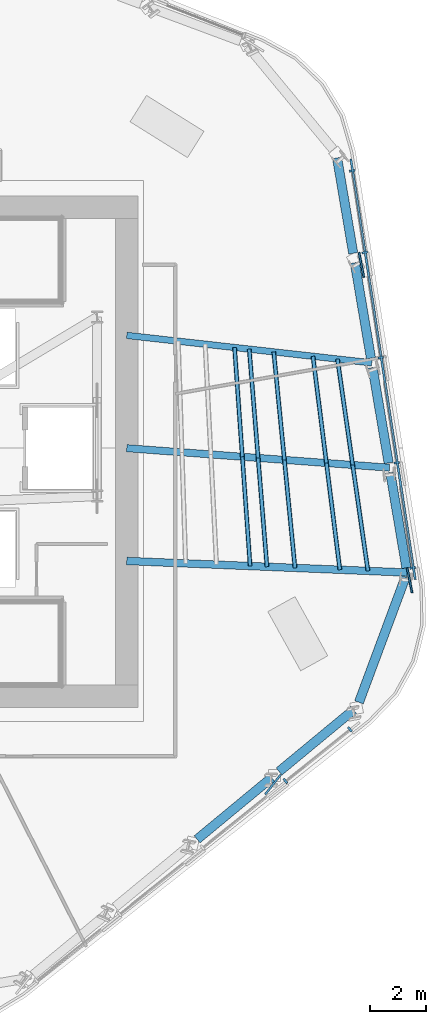
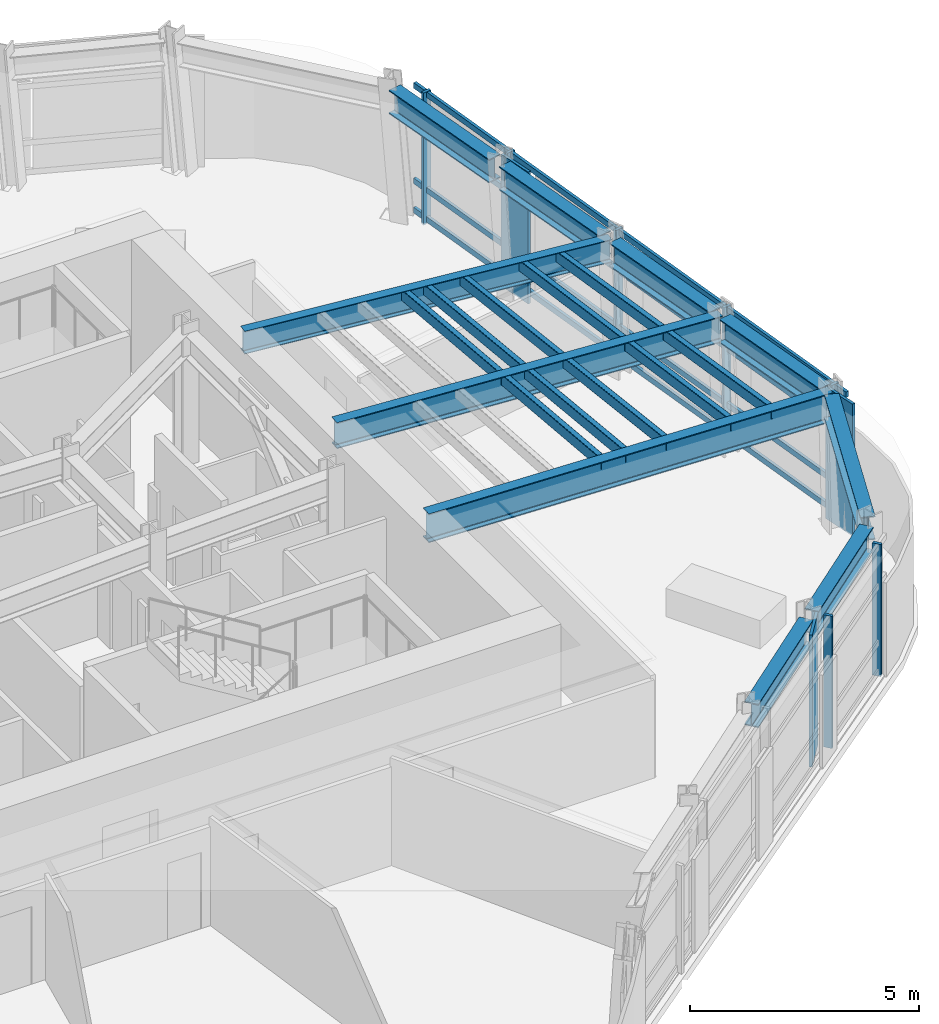
# One storey, part 5 of 15: 24 members, 10 beams, 2 elements without a shape of their own.
"""IFC4 building model written with IfcOpenShell, lengths in metres."""

from ifc_helpers import new_model, si_unit, direction, frame, origin, origin_2d, place, context, subcontext, project, spatial, rectangle, hollow_rectangle, i_section, extrude, material, layer, layer_set, material_profile, profile_set, type_object, element, aggregate, save


model = new_model("IFC4")

# Units and contexts
model_context = context("Model", 3, precision=1e-05, world=origin(), true_north=direction((0.0, 1.0)))
body_context = subcontext(model_context, "Body", "Model", "MODEL_VIEW")
ifc_project = project(units=[si_unit("LENGTHUNIT", "METRE"), si_unit("AREAUNIT", "SQUARE_METRE"), si_unit("VOLUMEUNIT", "CUBIC_METRE"), si_unit("PLANEANGLEUNIT", "RADIAN"), si_unit("MASSUNIT", "GRAM", prefix="KILO")], contexts=[model_context])

# Site, building, storey
site_placement = place(None, origin())
site = spatial("IfcSite", under=ifc_project, at=site_placement, CompositionType="ELEMENT")
building_placement = place(site_placement, origin())
building = spatial("IfcBuilding", under=site, at=building_placement, Name="Valkerne Bourse Tower", CompositionType="ELEMENT")
storey_placement = place(building_placement, frame((0.0, 0.0, 189.39990234375)))
storey = spatial("IfcBuildingStorey", under=building, at=storey_placement, Name="L48", CompositionType="ELEMENT", Elevation=189.39990234375)

# Beams
ifc_material_1 = material(Name="Steel ASTM A992", Category="steel")
ifc_material_profile_1 = material_profile(ifc_material_1, i_section(OverallWidth=0.32763671875, OverallDepth=0.62744140625, WebThickness=0.0166015625, FlangeThickness=0.027587890625, FilletRadius=0.020263671875, at=origin_2d()), Name="W24X146")
ifc_profile_set_1 = profile_set([ifc_material_profile_1], Name="Steel ASTM A992")
beam_type_1 = type_object("IfcBeamType", Name="BM-W24X146", PredefinedType="SPANDREL", material=ifc_profile_set_1)
for number, where, z_axis, x_axis, name in (
    (1, (58.495849609375, 13.12890625, 3.206298828125), (0.770537729655, 0.637394389039, 0.0), (-0.637394389039, 0.770537729655, 0.0), "L48 Hexagonal Spandrel Ring Beam 22"),
    (2, (61.401611328125, 15.532470703125, 3.206298828125), (0.770502780031, 0.637436636823, 0.0), (-0.637436636823, 0.770502780031, 0.0), "L48 Hexagonal Spandrel Ring Beam 23"),
):
    element("IfcBeam", number, at=place(storey_placement, frame(where, z_axis=z_axis, x_axis=x_axis)), inside=storey, type_object=beam_type_1, Name=name, PredefinedType="SPANDREL", context=body_context, shape_type="SweptSolid", body=[
        extrude(i_section(OverallWidth=0.32763671875, OverallDepth=0.62744140625, WebThickness=0.0166015625, FlangeThickness=0.027587890625, FilletRadius=0.020263671875, at=origin_2d()), origin(), (0.0, 0.0, 1.0), 3.430908203125),
    ])
beam_1_placement = place(storey_placement, frame((64.2353515625, 17.9873046875, 3.206298828125), z_axis=(0.348599031818, 0.937271953605, 0.0), x_axis=(-0.937271953605, 0.348599031818, 0.0)))
element("IfcBeam", 3, at=beam_1_placement, inside=storey, type_object=beam_type_1, Name="L48 Hexagonal Spandrel Ring Beam 24", PredefinedType="SPANDREL", context=body_context, shape_type="SweptSolid", body=[
    extrude(i_section(OverallWidth=0.32763671875, OverallDepth=0.62744140625, WebThickness=0.0166015625, FlangeThickness=0.027587890625, FilletRadius=0.020263671875, at=origin_2d()), origin(), (0.0, 0.0, 1.0), 4.739990234375),
])
for number, where, z_axis, x_axis, name in (
    (4, (65.91845703125, 22.7568359375, 3.206298828125), (-0.166717824324, 0.986004648596, 0.0), (-0.986004648596, -0.166717824324, 0.0), "L48 Hexagonal Spandrel Ring Beam 25"),
    (5, (65.289794921875, 26.47509765625, 3.206298828125), (-0.16678700104, 0.985992949409, 0.0), (-0.985992949409, -0.16678700104, 0.0), "L48 Hexagonal Spandrel Ring Beam 26"),
    (6, (64.660888671875, 30.193359375, 3.206298828125), (-0.16678700104, 0.985992949409, 0.0), (-0.985992949409, -0.16678700104, 0.0), "L48 Hexagonal Spandrel Ring Beam 27"),
):
    element("IfcBeam", number, at=place(storey_placement, frame(where, z_axis=z_axis, x_axis=x_axis)), inside=storey, type_object=beam_type_1, Name=name, PredefinedType="SPANDREL", context=body_context, shape_type="SweptSolid", body=[
        extrude(i_section(OverallWidth=0.32763671875, OverallDepth=0.62744140625, WebThickness=0.0166015625, FlangeThickness=0.027587890625, FilletRadius=0.020263671875, at=origin_2d()), origin(), (0.0, 0.0, 1.0), 3.43115234375),
    ])
beam_2_placement = place(storey_placement, frame((64.031982421875, 33.91162109375, 3.206298828125), z_axis=(-0.166798703324, 0.985990969821, 0.0), x_axis=(-0.985990969821, -0.166798703324, 0.0)))
element("IfcBeam", 7, at=beam_2_placement, inside=storey, type_object=beam_type_1, Name="L48 Hexagonal Spandrel Ring Beam 28", PredefinedType="SPANDREL", context=body_context, shape_type="SweptSolid", body=[
    extrude(i_section(OverallWidth=0.32763671875, OverallDepth=0.62744140625, WebThickness=0.0166015625, FlangeThickness=0.027587890625, FilletRadius=0.020263671875, at=origin_2d()), origin(), (0.0, 0.0, 1.0), 3.430908203125),
])
ifc_material_profile_2 = material_profile(ifc_material_1, i_section(OverallWidth=0.228271484375, OverallDepth=0.607177734375, WebThickness=0.01123046875, FlangeThickness=0.017333984375, FilletRadius=0.017822265625, at=origin_2d()), Name="W24X76")
ifc_profile_set_2 = profile_set([ifc_material_profile_2], Name="Steel ASTM A992")
beam_type_2 = type_object("IfcBeamType", Name="BM-W24X76", PredefinedType="JOIST", material=ifc_profile_set_2)
beam_3_placement = place(storey_placement, frame((64.689208984375, 30.025634765625, 3.216552734375), z_axis=(-0.9937715384, 0.111436661228, 0.0), x_axis=(-0.111436661228, -0.9937715384, 0.0)))
element("IfcBeam", 8, at=beam_3_placement, inside=storey, type_object=beam_type_2, Name="L48 Radial Composite Floor Beam 27", PredefinedType="JOIST", context=body_context, shape_type="SweptSolid", body=[
    extrude(i_section(OverallWidth=0.228271484375, OverallDepth=0.607177734375, WebThickness=0.01123046875, FlangeThickness=0.017333984375, FilletRadius=0.017822265625, at=origin_2d()), origin(), (0.0, 0.0, 1.0), 8.74365234375),
])
ifc_material_profile_3 = material_profile(ifc_material_1, i_section(OverallWidth=0.255859375, OverallDepth=0.693359375, WebThickness=0.014404296875, FlangeThickness=0.023681640625, FilletRadius=0.02294921875, at=origin_2d()), Name="W27X114")
ifc_profile_set_3 = profile_set([ifc_material_profile_3], Name="Steel ASTM A992")
beam_type_3 = type_object("IfcBeamType", Name="BM-W27X114", PredefinedType="BEAM", material=ifc_profile_set_3)
beam_4_placement = place(storey_placement, frame((65.318115234375, 26.3076171875, 3.17333984375), z_axis=(-0.997250760593, 0.074100745593, 0.0), x_axis=(-0.074100745593, -0.997250760593, 0.0)))
element("IfcBeam", 9, at=beam_4_placement, inside=storey, type_object=beam_type_3, Name="L48 Radial Composite Floor Beam 26", PredefinedType="BEAM", context=body_context, shape_type="SweptSolid", body=[
    extrude(i_section(OverallWidth=0.255859375, OverallDepth=0.693359375, WebThickness=0.014404296875, FlangeThickness=0.023681640625, FilletRadius=0.02294921875, at=origin_2d()), origin(), (0.0, 0.0, 1.0), 9.34375),
])
ifc_material_profile_4 = material_profile(ifc_material_1, i_section(OverallWidth=0.26806640625, OverallDepth=0.76953125, WebThickness=0.015625, FlangeThickness=0.025390625, FilletRadius=0.025390625, at=origin_2d()), Name="W30X132")
ifc_profile_set_4 = profile_set([ifc_material_profile_4], Name="Steel ASTM A992")
beam_type_4 = type_object("IfcBeamType", Name="BM-W30X132", PredefinedType="BEAM", material=ifc_profile_set_4)
beam_5_placement = place(storey_placement, frame((65.947021484375, 22.58935546875, 3.13525390625), z_axis=(-0.99914893783, 0.041248030666, 0.0), x_axis=(-0.041248030666, -0.99914893783, 0.0)))
element("IfcBeam", 10, at=beam_5_placement, inside=storey, type_object=beam_type_4, Name="L48 Radial Composite Floor Beam 25", PredefinedType="BEAM", context=body_context, shape_type="SweptSolid", body=[
    extrude(i_section(OverallWidth=0.26806640625, OverallDepth=0.76953125, WebThickness=0.015625, FlangeThickness=0.025390625, FilletRadius=0.025390625, at=origin_2d()), origin(), (0.0, 0.0, 1.0), 9.95556640625),
])

# Curtain wall, members
ifc_material_2 = material(Name="Aluminium AA 6063-T6", Category="aluminium")
ifc_layer = layer(ifc_material_2, 0.235107421875)
ifc_layer_set = layer_set([ifc_layer], Name="Aluminium AA 6063-T6")
curtain_wall_type = type_object("IfcCurtainWallType", Name="CW-03", PredefinedType="NOTDEFINED", material=ifc_layer_set)
curtain_wall_1_placement = place(storey_placement, origin())
curtain_wall_1 = element("IfcCurtainWall", 11, at=curtain_wall_1_placement, inside=storey, type_object=curtain_wall_type, Name="L48 Hexagonal Stick Curtain Wall Face 5", PredefinedType="NOTDEFINED")
ifc_material_profile_5 = material_profile(ifc_material_2, rectangle(XDim=0.074951171875, YDim=0.199951171875, at=origin_2d()), Name="CWM-75X200")
ifc_profile_set_5 = profile_set([ifc_material_profile_5], Name="Aluminium AA 6063-T6")
member_type_1 = type_object("IfcMemberType", Name="CW-MUL-220X75", PredefinedType="MULLION", material=ifc_profile_set_5)
member_1_placement = place(storey_placement, frame((61.627197265625, 15.195556640625, 0.0), z_axis=(0.0, 0.0, 1.0), x_axis=(0.780428802886, 0.625244659014, 0.0)))
member_1 = element("IfcMember", 12, at=member_1_placement, type_object=member_type_1, Name="CW-L48-F5 Jamb Mullion 03A", PredefinedType="MULLION", context=body_context, shape_type="SweptSolid", body=[
    extrude(rectangle(XDim=0.074951171875, YDim=0.199951171875, at=origin_2d()), origin(), (0.0, 0.0, 1.0), 3.52001953125),
])
member_2_placement = place(storey_placement, frame((63.914794921875, 17.0283203125, 0.0), z_axis=(0.0, 0.0, 1.0), x_axis=(0.780428802886, 0.625244659014, 0.0)))
member_2 = element("IfcMember", 13, at=member_2_placement, type_object=member_type_1, Name="CW-L48-F5 Jamb Mullion 03B", PredefinedType="MULLION", context=body_context, shape_type="SweptSolid", body=[
    extrude(rectangle(XDim=0.074951171875, YDim=0.199951171875, at=origin_2d()), origin(), (0.0, 0.0, 1.0), 3.52001953125),
])
aggregate(curtain_wall_1, [member_1, member_2])

curtain_wall_2_placement = place(storey_placement, origin())
curtain_wall_2 = element("IfcCurtainWall", 14, at=curtain_wall_2_placement, inside=storey, type_object=curtain_wall_type, Name="L48 Hexagonal Stick Curtain Wall Face 6", PredefinedType="NOTDEFINED")
member_3_placement = place(storey_placement, frame((66.14794921875, 22.755615234375, 0.0), z_axis=(0.0, 0.0, 1.0), x_axis=(-0.151260054686, 0.988494003956, 0.0)))
member_3 = element("IfcMember", 15, at=member_3_placement, type_object=member_type_1, Name="CW-L48-F6 Jamb Mullion 00A", PredefinedType="MULLION", context=body_context, shape_type="SweptSolid", body=[
    extrude(rectangle(XDim=0.074951171875, YDim=0.199951171875, at=origin_2d()), origin(), (0.0, 0.0, 1.0), 3.52001953125),
])
member_4_placement = place(storey_placement, frame((65.577392578125, 26.4833984375, 0.0), z_axis=(0.0, 0.0, 1.0), x_axis=(-0.15125608979, 0.988494610659, 0.0)))
member_4 = element("IfcMember", 16, at=member_4_placement, type_object=member_type_1, Name="CW-L48-F6 Jamb Mullion 01A", PredefinedType="MULLION", context=body_context, shape_type="SweptSolid", body=[
    extrude(rectangle(XDim=0.074951171875, YDim=0.199951171875, at=origin_2d()), origin(), (0.0, 0.0, 1.0), 3.52001953125),
])
member_5_placement = place(storey_placement, frame((65.007080078125, 30.2109375, 0.0), z_axis=(0.0, 0.0, 1.0), x_axis=(-0.151260054686, 0.988494003956, 0.0)))
member_5 = element("IfcMember", 17, at=member_5_placement, type_object=member_type_1, Name="CW-L48-F6 Jamb Mullion 02A", PredefinedType="MULLION", context=body_context, shape_type="SweptSolid", body=[
    extrude(rectangle(XDim=0.074951171875, YDim=0.199951171875, at=origin_2d()), origin(), (0.0, 0.0, 1.0), 3.52001953125),
])
member_6_placement = place(storey_placement, frame((64.436767578125, 33.938720703125, 0.0), z_axis=(0.0, 0.0, 1.0), x_axis=(-0.151260054686, 0.988494003956, 0.0)))
member_6 = element("IfcMember", 18, at=member_6_placement, type_object=member_type_1, Name="CW-L48-F6 Jamb Mullion 03A", PredefinedType="MULLION", context=body_context, shape_type="SweptSolid", body=[
    extrude(rectangle(XDim=0.074951171875, YDim=0.199951171875, at=origin_2d()), origin(), (0.0, 0.0, 1.0), 3.52001953125),
])
member_7_placement = place(storey_placement, frame((63.993408203125, 36.8359375, 0.0), z_axis=(0.0, 0.0, 1.0), x_axis=(-0.151260054686, 0.988494003956, 0.0)))
member_7 = element("IfcMember", 19, at=member_7_placement, type_object=member_type_1, Name="CW-L48-F6 Jamb Mullion 03B", PredefinedType="MULLION", context=body_context, shape_type="SweptSolid", body=[
    extrude(rectangle(XDim=0.074951171875, YDim=0.199951171875, at=origin_2d()), origin(), (0.0, 0.0, 1.0), 3.52001953125),
])
ifc_material_profile_6 = material_profile(ifc_material_2, rectangle(XDim=0.074951171875, YDim=0.14990234375, at=origin_2d()), Name="CWT-75X150")
ifc_profile_set_6 = profile_set([ifc_material_profile_6], Name="Aluminium AA 6063-T6")
member_type_2 = type_object("IfcMemberType", Name="CW-TRN-180X65", PredefinedType="USERDEFINED", material=ifc_profile_set_6)
member_8_placement = place(storey_placement, frame((66.231201171875, 22.343505859375, 0.1201171875), z_axis=(-0.151250773463, 0.98849542413, 0.0), x_axis=(-0.98849542413, -0.151250773463, 0.0)))
member_8 = element("IfcMember", 20, at=member_8_placement, type_object=member_type_2, Name="CW-L48-F6 Continuous Face Transom 1", ObjectType="TRANSOM", PredefinedType="USERDEFINED", context=body_context, shape_type="SweptSolid", body=[
    extrude(rectangle(XDim=0.074951171875, YDim=0.14990234375, at=origin_2d()), origin(), (0.0, 0.0, 1.0), 15.084228515625),
])
member_9_placement = place(storey_placement, frame((66.231201171875, 22.343505859375, 0.900146484375), z_axis=(-0.151250773463, 0.98849542413, 0.0), x_axis=(-0.98849542413, -0.151250773463, 0.0)))
member_9 = element("IfcMember", 21, at=member_9_placement, type_object=member_type_2, Name="CW-L48-F6 Continuous Face Transom 2", ObjectType="TRANSOM", PredefinedType="USERDEFINED", context=body_context, shape_type="SweptSolid", body=[
    extrude(rectangle(XDim=0.074951171875, YDim=0.14990234375, at=origin_2d()), origin(), (0.0, 0.0, 1.0), 15.084228515625),
])
member_10_placement = place(storey_placement, frame((66.231201171875, 22.343505859375, 2.400146484375), z_axis=(-0.151250773463, 0.98849542413, 0.0), x_axis=(-0.98849542413, -0.151250773463, 0.0)))
member_10 = element("IfcMember", 22, at=member_10_placement, type_object=member_type_2, Name="CW-L48-F6 Continuous Face Transom 3", ObjectType="TRANSOM", PredefinedType="USERDEFINED", context=body_context, shape_type="SweptSolid", body=[
    extrude(rectangle(XDim=0.074951171875, YDim=0.14990234375, at=origin_2d()), origin(), (0.0, 0.0, 1.0), 15.084228515625),
])
member_11_placement = place(storey_placement, frame((66.231201171875, 22.343505859375, 3.440185546875), z_axis=(-0.151250773463, 0.98849542413, 0.0), x_axis=(-0.98849542413, -0.151250773463, 0.0)))
member_11 = element("IfcMember", 23, at=member_11_placement, type_object=member_type_2, Name="CW-L48-F6 Continuous Face Transom 4", ObjectType="TRANSOM", PredefinedType="USERDEFINED", context=body_context, shape_type="SweptSolid", body=[
    extrude(rectangle(XDim=0.074951171875, YDim=0.14990234375, at=origin_2d()), origin(), (0.0, 0.0, 1.0), 15.084228515625),
])
aggregate(curtain_wall_2, [member_8, member_9, member_10, member_11, member_3, member_4, member_5, member_6, member_7])

# Members
ifc_material_3 = material(Name="Bronze Anodised Aluminium AA 6063-T6", Category="aluminium")
ifc_material_profile_7 = material_profile(ifc_material_3, rectangle(XDim=0.070068359375, YDim=0.89990234375, at=origin_2d()), Name="FIN-70X900")
ifc_profile_set_7 = profile_set([ifc_material_profile_7], Name="Bronze Anodised Aluminium AA 6063-T6")
member_type_3 = type_object("IfcMemberType", Name="FIN-SOLAR-900", PredefinedType="USERDEFINED", material=ifc_profile_set_7)
for number, where, z_axis, x_axis, name in (
    (24, (61.18701171875, 15.073486328125, 0.004150390625), (0.0, 0.0, 1.0), (0.785817504376, -0.618458446314, 0.0), "L48 Bronze Anodised Solar Fin F5-03"),
    (25, (66.033447265625, 22.313232421875, 0.004150390625), (0.0, 0.0, 1.0), (0.981752123498, 0.190165107231, 0.0), "L48 Bronze Anodised Solar Fin F6-00"),
    (26, (64.322265625, 33.49609375, 0.004150390625), (0.0, 0.0, 1.0), (0.981752123498, 0.190165107231, 0.0), "L48 Bronze Anodised Solar Fin F6-03"),
):
    element("IfcMember", number, at=place(storey_placement, frame(where, z_axis=z_axis, x_axis=x_axis)), inside=storey, type_object=member_type_3, Name=name, ObjectType="SOLAR_FIN", PredefinedType="USERDEFINED", context=body_context, shape_type="SweptSolid", body=[
        extrude(rectangle(XDim=0.070068359375, YDim=0.89990234375, at=origin_2d()), origin(), (0.0, 0.0, 1.0), 3.511962890625),
    ])
ifc_material_4 = material(Name="Steel ASTM A500 Grade C", Category="steel")
ifc_material_profile_8 = material_profile(ifc_material_4, hollow_rectangle(XDim=0.14990234375, YDim=0.300048828125, WallThickness=0.012451171875, OuterFilletRadius=0.02490234375, at=origin_2d()), Name="HSS300X150X12.5")
ifc_profile_set_8 = profile_set([ifc_material_profile_8], Name="Steel ASTM A500 Grade C")
member_type_4 = type_object("IfcMemberType", Name="MBR-HSS300X150X12.5", PredefinedType="PURLIN", material=ifc_profile_set_8)
for number, where, z_axis, x_axis, name in (
    (27, (60.376708984375, 22.8193359375, 3.360107421875), (-0.071247049988, 0.997458699831, 0.0), (-0.997458699831, -0.071247049988, 0.0), "L48 Secondary Composite Floor Purlin K-25"),
    (28, (60.099853515625, 26.6953125, 3.360107421875), (-0.071184540406, 0.997463162832, 0.0), (-0.997463162832, -0.071184540406, 0.0), "L48 Secondary Composite Floor Purlin K-26"),
):
    element("IfcMember", number, at=place(storey_placement, frame(where, z_axis=z_axis, x_axis=x_axis)), inside=storey, type_object=member_type_4, Name=name, PredefinedType="PURLIN", context=body_context, shape_type="SweptSolid", body=[
        extrude(hollow_rectangle(XDim=0.14990234375, YDim=0.300048828125, WallThickness=0.012451171875, OuterFilletRadius=0.02490234375, at=origin_2d()), origin(), (0.0, 0.0, 1.0), 3.8857421875),
    ])
for number, where, z_axis, x_axis, name in (
    (29, (60.973388671875, 22.794677734375, 3.360107421875), (-0.081213725682, 0.996696709516, 0.0), (-0.996696709516, -0.081213725682, 0.0), "L48 Secondary Composite Floor Purlin M-25"),
    (30, (60.658935546875, 26.65380859375, 3.360107421875), (-0.081213725682, 0.996696709516, 0.0), (-0.996696709516, -0.081213725682, 0.0), "L48 Secondary Composite Floor Purlin M-26"),
):
    element("IfcMember", number, at=place(storey_placement, frame(where, z_axis=z_axis, x_axis=x_axis)), inside=storey, type_object=member_type_4, Name=name, PredefinedType="PURLIN", context=body_context, shape_type="SweptSolid", body=[
        extrude(hollow_rectangle(XDim=0.14990234375, YDim=0.300048828125, WallThickness=0.012451171875, OuterFilletRadius=0.02490234375, at=origin_2d()), origin(), (0.0, 0.0, 1.0), 3.871826171875),
    ])
member_12_placement = place(storey_placement, frame((63.5595703125, 22.68798828125, 3.360107421875), z_axis=(-0.125215882178, 0.992129519191, 0.0), x_axis=(-0.992129519191, -0.125215882178, 0.0)))
element("IfcMember", 31, at=member_12_placement, inside=storey, type_object=member_type_4, Name="L48 Secondary Composite Floor Purlin O-25", PredefinedType="PURLIN", context=body_context, shape_type="SweptSolid", body=[
    extrude(hollow_rectangle(XDim=0.14990234375, YDim=0.300048828125, WallThickness=0.012451171875, OuterFilletRadius=0.02490234375, at=origin_2d()), origin(), (0.0, 0.0, 1.0), 3.815673828125),
])
member_13_placement = place(storey_placement, frame((63.081787109375, 26.4736328125, 3.360107421875), z_axis=(-0.125270909735, 0.992122572656, 0.0), x_axis=(-0.992122572656, -0.125270909735, 0.0)))
element("IfcMember", 32, at=member_13_placement, inside=storey, type_object=member_type_4, Name="L48 Secondary Composite Floor Purlin O-26", PredefinedType="PURLIN", context=body_context, shape_type="SweptSolid", body=[
    extrude(hollow_rectangle(XDim=0.14990234375, YDim=0.300048828125, WallThickness=0.012451171875, OuterFilletRadius=0.02490234375, at=origin_2d()), origin(), (0.0, 0.0, 1.0), 3.81591796875),
])
for number, where, z_axis, x_axis, name in (
    (33, (61.968017578125, 22.753662109375, 3.360107421875), (-0.097990217258, 0.995187377996, 0.0), (-0.995187377996, -0.097990217258, 0.0), "L48 Secondary Composite Floor Purlin Z-25"),
    (34, (61.5908203125, 26.58447265625, 3.360107421875), (-0.098053031758, 0.995181191022, 0.0), (-0.995181191022, -0.098053031758, 0.0), "L48 Secondary Composite Floor Purlin Z-26"),
):
    element("IfcMember", number, at=place(storey_placement, frame(where, z_axis=z_axis, x_axis=x_axis)), inside=storey, type_object=member_type_4, Name=name, PredefinedType="PURLIN", context=body_context, shape_type="SweptSolid", body=[
        extrude(hollow_rectangle(XDim=0.14990234375, YDim=0.300048828125, WallThickness=0.012451171875, OuterFilletRadius=0.02490234375, at=origin_2d()), origin(), (0.0, 0.0, 1.0), 3.849365234375),
    ])
member_14_placement = place(storey_placement, frame((64.55419921875, 22.646728515625, 3.360107421875), z_axis=(-0.142438608326, 0.989803638535, 0.0), x_axis=(-0.989803638535, -0.142438608326, 0.0)))
element("IfcMember", 35, at=member_14_placement, inside=storey, type_object=member_type_4, Name="L48 Secondary Composite Floor Purlin T-25", PredefinedType="PURLIN", context=body_context, shape_type="SweptSolid", body=[
    extrude(hollow_rectangle(XDim=0.14990234375, YDim=0.300048828125, WallThickness=0.012451171875, OuterFilletRadius=0.02490234375, at=origin_2d()), origin(), (0.0, 0.0, 1.0), 3.796630859375),
])
member_15_placement = place(storey_placement, frame((64.013427734375, 26.404541015625, 3.360107421875), z_axis=(-0.142447675211, 0.989802333715, 0.0), x_axis=(-0.989802333715, -0.142447675211, 0.0)))
element("IfcMember", 36, at=member_15_placement, inside=storey, type_object=member_type_4, Name="L48 Secondary Composite Floor Purlin T-26", PredefinedType="PURLIN", context=body_context, shape_type="SweptSolid", body=[
    extrude(hollow_rectangle(XDim=0.14990234375, YDim=0.300048828125, WallThickness=0.012451171875, OuterFilletRadius=0.02490234375, at=origin_2d()), origin(), (0.0, 0.0, 1.0), 3.79638671875),
])

save(model, "model.ifc")
